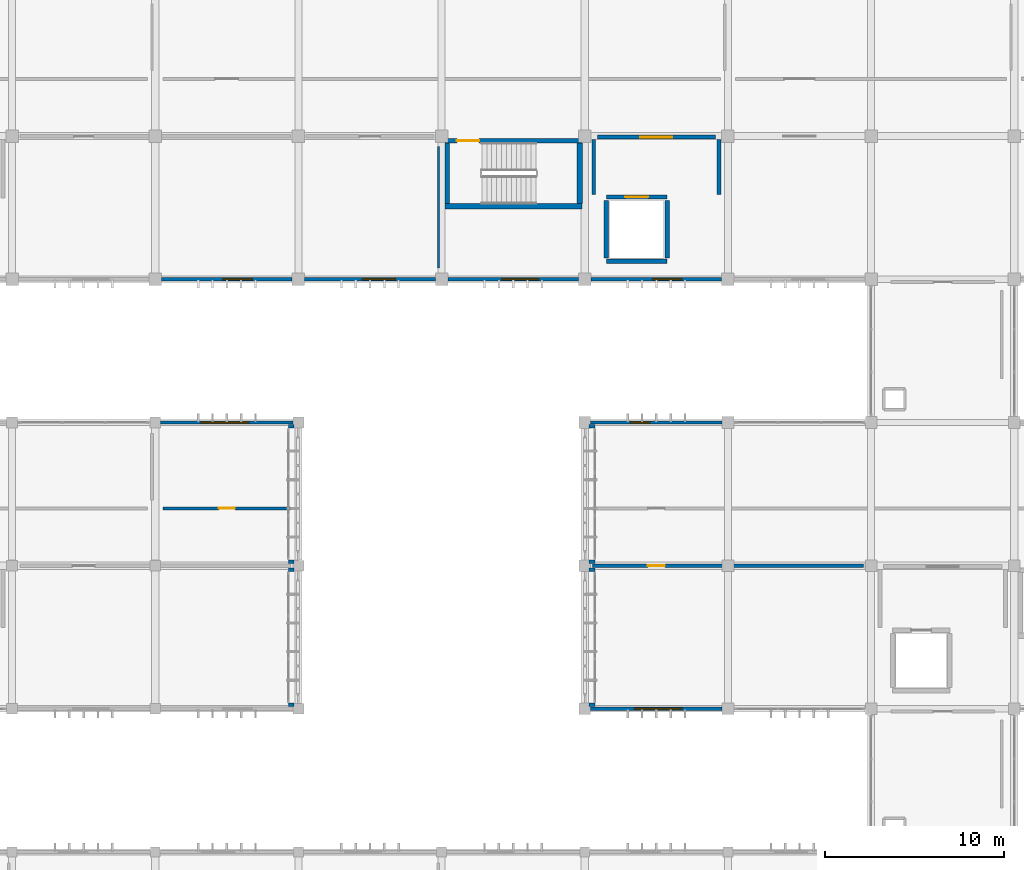
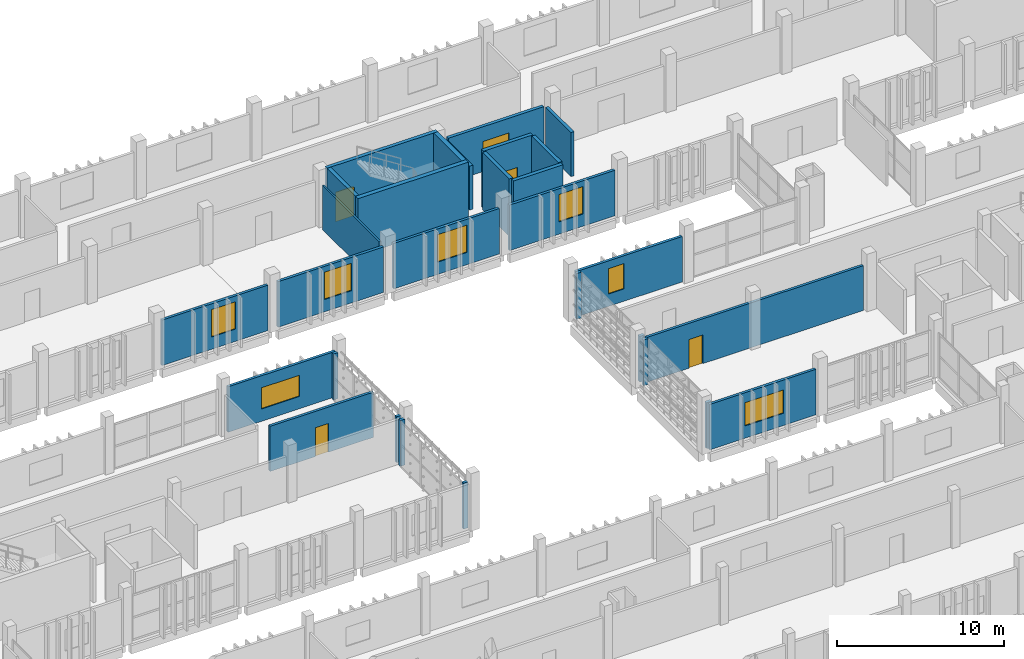
# One storey, part 69 of 83: 29 walls, 7 windows, 5 doors, 12 openings.
"""IFC4 building model written with IfcOpenShell, lengths in metres."""

from ifc_helpers import new_model, si_unit, direction, frame, frame_2d, origin, place, context, subcontext, project, spatial, rectangle, extrude, material, layer, layer_set, type_object, element, fill, save


model = new_model("IFC4")

# Units and contexts
model_context = context("Model", 3, precision=1e-05, world=origin(), true_north=direction((0.0, 1.0)))
body_context = subcontext(model_context, "Body", "Model", "MODEL_VIEW")
ifc_project = project(units=[si_unit("LENGTHUNIT", "METRE"), si_unit("AREAUNIT", "SQUARE_METRE"), si_unit("VOLUMEUNIT", "CUBIC_METRE"), si_unit("PLANEANGLEUNIT", "RADIAN"), si_unit("MASSUNIT", "GRAM", prefix="KILO")], contexts=[model_context])

# Site, building, storey
site_placement = place(None, origin())
site = spatial("IfcSite", under=ifc_project, at=site_placement, CompositionType="ELEMENT")
building_placement = place(site_placement, origin())
building = spatial("IfcBuilding", under=site, at=building_placement, Name="Jelvoka-Kovrelna Polytechnic", CompositionType="ELEMENT")
storey_placement = place(building_placement, frame((0.0, 0.0, 13.800048828125)))
storey = spatial("IfcBuildingStorey", under=building, at=storey_placement, Name="L04", CompositionType="ELEMENT", Elevation=13.800048828125)

# Wall, opening, door
ifc_material_1 = material(Name="Concrete C35/45", Category="concrete")
ifc_layer_1 = layer(ifc_material_1, 0.219970703125)
ifc_layer_set_1 = layer_set([ifc_layer_1], Name="Concrete C35/45")
wall_type_1 = type_object("IfcWallType", Name="Wall_Compartment_220", PredefinedType="PARTITIONING", material=ifc_layer_set_1)
wall_1_placement = place(storey_placement, frame((128.699951171875, 63.949951171875, 0.0), z_axis=(0.0, 0.0, 1.0), x_axis=(1.0, 0.0, 0.0)))
wall_1 = element("IfcWall", 1, at=wall_1_placement, inside=storey, type_object=wall_type_1, Name="L04 interior wall 0660", PredefinedType="PARTITIONING", context=body_context, shape_type="SweptSolid", body=[
    extrude(rectangle(XDim=6.60009765625, YDim=0.219970703125, at=frame_2d((3.300048828125, 0.0))), origin(), (0.0, 0.0, 1.0), 3.27490234375),
])
opening_1_placement = place(wall_1_placement, frame((2.39990234375, 0.0, 0.0)))
opening_1 = element("IfcOpeningElement", 2, at=opening_1_placement, cuts=wall_1, Name="Opening FD-L04-113", PredefinedType="OPENING", context=body_context, shape_type="SweptSolid", body=[
    extrude(rectangle(XDim=1.800048828125, YDim=2.199951171875, at=frame_2d((0.89990234375, 1.10009765625))), frame((0.0, 0.119873046875, 0.0), z_axis=(0.0, -1.0, 0.0), x_axis=(1.0, 0.0, 0.0)), (0.0, 0.0, 1.0), 0.239990234375),
])
ifc_material_2 = material(Name="Paired steel corridor fire door", Category="steel")
door_type_1 = type_object("IfcDoorType", Name="Door_Fire_FD03", OperationType="NOTDEFINED", PredefinedType="DOOR", material=ifc_material_2)
door_1_placement = place(opening_1_placement, origin())
door_1 = element("IfcDoor", 3, at=door_1_placement, inside=storey, type_object=door_type_1, Name="L04 interior door FD-L04-113", OperationType="DOUBLE_DOOR_SINGLE_SWING", OverallHeight=2.199951171875, OverallWidth=1.800048828125, PredefinedType="DOOR", context=body_context, shape_type="SweptSolid", body=[
    extrude(rectangle(XDim=1.800048828125, YDim=2.199951171875, at=frame_2d((0.89990234375, 1.10009765625))), frame((0.0, 0.02490234375, 0.0), z_axis=(0.0, -1.0, 0.0), x_axis=(1.0, 0.0, 0.0)), (0.0, 0.0, 1.0), 0.050048828125),
])
fill(opening_1, door_1)

# Walls
for number, where, z_axis, x_axis, name in (
    (4, (128.5, 60.75, 0.0), (0.0, 0.0, 1.0), (0.0, 1.0, 0.0), "L04 interior wall 0661"),
    (5, (135.5, 60.75, 0.0), (0.0, 0.0, 1.0), (0.0, 1.0, 0.0), "L04 interior wall 0662"),
):
    element("IfcWall", number, at=place(storey_placement, frame(where, z_axis=z_axis, x_axis=x_axis)), inside=storey, type_object=wall_type_1, Name=name, PredefinedType="PARTITIONING", context=body_context, shape_type="SweptSolid", body=[
        extrude(rectangle(XDim=3.050048828125, YDim=0.219970703125, at=frame_2d((1.52490234375, 0.0))), origin(), (0.0, 0.0, 1.0), 3.224853515625),
    ])

# Wall, opening, door
ifc_material_3 = material(Name="Concrete C40/50", Category="concrete")
ifc_layer_2 = layer(ifc_material_3, 0.25)
ifc_layer_set_2 = layer_set([ifc_layer_2], Name="Concrete C40/50")
wall_type_2 = type_object("IfcWallType", Name="Wall_Core_250", PredefinedType="SOLIDWALL", material=ifc_layer_set_2)
wall_2_placement = place(storey_placement, frame((120.199951171875, 63.739990234375, 0.0), z_axis=(0.0, 0.0, 1.0), x_axis=(1.0, 0.0, 0.0)))
wall_2 = element("IfcWall", 6, at=wall_2_placement, inside=storey, type_object=wall_type_2, Name="L04 interior wall 0235", PredefinedType="SOLIDWALL", context=body_context, shape_type="SweptSolid", body=[
    extrude(rectangle(XDim=7.650146484375, YDim=0.25, at=frame_2d((3.8251953125, 0.0))), origin(), (0.0, 0.0, 1.0), 4.199951171875),
])
opening_2_placement = place(wall_2_placement, frame((0.64990234375, 0.0, 0.0)))
opening_2 = element("IfcOpeningElement", 7, at=opening_2_placement, cuts=wall_2, Name="Opening SD-L04-059", PredefinedType="OPENING", context=body_context, shape_type="SweptSolid", body=[
    extrude(rectangle(XDim=1.25, YDim=2.14990234375, at=frame_2d((0.625, 1.074951171875))), frame((0.0, 0.135009765625, 0.0), z_axis=(0.0, -1.0, 0.0), x_axis=(1.0, 0.0, 0.0)), (0.0, 0.0, 1.0), 0.27001953125),
])
ifc_material_4 = material(Name="Powder-coated steel fire door", Category="steel")
door_type_2 = type_object("IfcDoorType", Name="Door_Fire_FD02", OperationType="NOTDEFINED", PredefinedType="DOOR", material=ifc_material_4)
door_2_placement = place(opening_2_placement, origin())
door_2 = element("IfcDoor", 8, at=door_2_placement, inside=storey, type_object=door_type_2, Name="L04 interior door SD-L04-059", OperationType="SINGLE_SWING_LEFT", OverallHeight=2.14990234375, OverallWidth=1.25, PredefinedType="DOOR", context=body_context, shape_type="SweptSolid", body=[
    extrude(rectangle(XDim=1.25, YDim=2.14990234375, at=frame_2d((0.625, 1.074951171875))), frame((0.0, 0.02490234375, 0.0), z_axis=(0.0, -1.0, 0.0), x_axis=(1.0, 0.0, 0.0)), (0.0, 0.0, 1.0), 0.050048828125),
])
fill(opening_2, door_2)

# Walls
wall_3_placement = place(storey_placement, frame((120.324951171875, 60.25, 0.0), z_axis=(0.0, 0.0, 1.0), x_axis=(0.0, 1.0, 0.0)))
element("IfcWall", 9, at=wall_3_placement, inside=storey, type_object=wall_type_2, Name="L04 interior wall 0236", PredefinedType="SOLIDWALL", context=body_context, shape_type="SweptSolid", body=[
    extrude(rectangle(XDim=3.360107421875, YDim=0.25, at=frame_2d((1.68017578125, 0.0))), origin(), (0.0, 0.0, 1.0), 4.199951171875),
])
wall_4_placement = place(storey_placement, frame((129.199951171875, 57.0, 0.0), z_axis=(0.0, 0.0, 1.0), x_axis=(1.0, 0.0, 0.0)))
element("IfcWall", 10, at=wall_4_placement, inside=storey, type_object=wall_type_2, Name="L04 interior wall 0656", PredefinedType="SOLIDWALL", context=body_context, shape_type="SweptSolid", body=[
    extrude(rectangle(XDim=3.400146484375, YDim=0.25, at=frame_2d((1.7001953125, 0.0))), origin(), (0.0, 0.0, 1.0), 4.199951171875),
])

# Wall, opening, door
wall_5_placement = place(storey_placement, frame((129.199951171875, 60.60009765625, 0.0), z_axis=(0.0, 0.0, 1.0), x_axis=(1.0, 0.0, 0.0)))
wall_5 = element("IfcWall", 11, at=wall_5_placement, inside=storey, type_object=wall_type_2, Name="L04 interior wall 0657", PredefinedType="SOLIDWALL", context=body_context, shape_type="SweptSolid", body=[
    extrude(rectangle(XDim=3.400146484375, YDim=0.25, at=frame_2d((1.7001953125, 0.0))), origin(), (0.0, 0.0, 1.0), 4.199951171875),
])
opening_3_placement = place(wall_5_placement, frame((1.050048828125, 0.0, 0.0)))
opening_3 = element("IfcOpeningElement", 12, at=opening_3_placement, cuts=wall_5, Name="Opening LD-L04-50", PredefinedType="OPENING", context=body_context, shape_type="SweptSolid", body=[
    extrude(rectangle(XDim=1.300048828125, YDim=2.199951171875, at=frame_2d((0.64990234375, 1.10009765625))), frame((0.0, 0.135009765625, 0.0), z_axis=(0.0, -1.0, 0.0), x_axis=(1.0, 0.0, 0.0)), (0.0, 0.0, 1.0), 0.27001953125),
])
ifc_material_5 = material(Name="Heavy-duty stainless goods lift landing door", Category="wood")
door_type_3 = type_object("IfcDoorType", Name="Door_Lift_LD02", OperationType="NOTDEFINED", PredefinedType="DOOR", material=ifc_material_5)
door_3_placement = place(opening_3_placement, origin())
door_3 = element("IfcDoor", 13, at=door_3_placement, inside=storey, type_object=door_type_3, Name="L04 lift landing sliding door LD-L04-50", OperationType="DOUBLE_DOOR_SLIDING", OverallHeight=2.199951171875, OverallWidth=1.300048828125, PredefinedType="DOOR", context=body_context, shape_type="SweptSolid", body=[
    extrude(rectangle(XDim=1.300048828125, YDim=2.199951171875, at=frame_2d((0.64990234375, 1.10009765625))), frame((0.0, 0.02490234375, 0.0), z_axis=(0.0, -1.0, 0.0), x_axis=(1.0, 0.0, 0.0)), (0.0, 0.0, 1.0), 0.050048828125),
])
fill(opening_3, door_3)

# Walls
for number, where, z_axis, x_axis, name in (
    (14, (129.199951171875, 57.199951171875, 0.0), (0.0, 0.0, 1.0), (0.0, 1.0, 0.0), "L04 interior wall 0658"),
    (15, (132.60009765625, 57.199951171875, 0.0), (0.0, 0.0, 1.0), (0.0, 1.0, 0.0), "L04 interior wall 0659"),
):
    element("IfcWall", number, at=place(storey_placement, frame(where, z_axis=z_axis, x_axis=x_axis)), inside=storey, type_object=wall_type_2, Name=name, PredefinedType="SOLIDWALL", context=body_context, shape_type="SweptSolid", body=[
        extrude(rectangle(XDim=3.199951171875, YDim=0.25, at=frame_2d((1.60009765625, 0.0))), origin(), (0.0, 0.0, 1.0), 4.199951171875),
    ])

# Wall, opening, door
ifc_material_6 = material(Name="Autoclaved aerated concrete blockwork", Category="masonry")
ifc_layer_3 = layer(ifc_material_6, 0.179931640625)
ifc_layer_set_3 = layer_set([ifc_layer_3], Name="Autoclaved aerated concrete blockwork")
wall_type_3 = type_object("IfcWallType", Name="Wall_Corridor_180", PredefinedType="PARTITIONING", material=ifc_layer_set_3)
wall_6_placement = place(storey_placement, frame((104.429931640625, 43.199951171875, 0.0), z_axis=(0.0, 0.0, 1.0), x_axis=(1.0, 0.0, 0.0)))
wall_6 = element("IfcWall", 16, at=wall_6_placement, inside=storey, type_object=wall_type_3, Name="L04 interior wall 1127", PredefinedType="PARTITIONING", context=body_context, shape_type="SweptSolid", body=[
    extrude(rectangle(XDim=7.14013671875, YDim=0.179931640625, at=frame_2d((3.570068359375, 0.0))), origin(), (0.0, 0.0, 1.0), 3.300048828125),
])
opening_4_placement = place(wall_6_placement, frame((3.1201171875, 0.0, 0.0)))
opening_4 = element("IfcOpeningElement", 17, at=opening_4_placement, cuts=wall_6, Name="Opening D-L04-343", PredefinedType="OPENING", context=body_context, shape_type="SweptSolid", body=[
    extrude(rectangle(XDim=0.89990234375, YDim=2.10009765625, at=frame_2d((0.449951171875, 1.050048828125))), frame((0.0, 0.099853515625, 0.0), z_axis=(0.0, -1.0, 0.0), x_axis=(1.0, 0.0, 0.0)), (0.0, 0.0, 1.0), 0.199951171875),
])
ifc_material_7 = material(Name="Hardwood solid-core door", Category="wood")
door_type_4 = type_object("IfcDoorType", Name="Door_Int_D01", OperationType="NOTDEFINED", PredefinedType="DOOR", material=ifc_material_7)
door_4_placement = place(opening_4_placement, origin())
door_4 = element("IfcDoor", 18, at=door_4_placement, inside=storey, type_object=door_type_4, Name="L04 interior door D-L04-343", OperationType="SINGLE_SWING_RIGHT", OverallHeight=2.10009765625, OverallWidth=0.89990234375, PredefinedType="DOOR", context=body_context, shape_type="SweptSolid", body=[
    extrude(rectangle(XDim=0.89990234375, YDim=2.10009765625, at=frame_2d((0.449951171875, 1.050048828125))), frame((0.0, 0.02490234375, 0.0), z_axis=(0.0, -1.0, 0.0), x_axis=(1.0, 0.0, 0.0)), (0.0, 0.0, 1.0), 0.050048828125),
])
fill(opening_4, door_4)

wall_7_placement = place(storey_placement, frame((128.429931640625, 40.0, 0.0), z_axis=(0.0, 0.0, 1.0), x_axis=(1.0, 0.0, 0.0)))
wall_7 = element("IfcWall", 19, at=wall_7_placement, inside=storey, type_object=wall_type_3, Name="L04 interior wall 1128", PredefinedType="PARTITIONING", context=body_context, shape_type="SweptSolid", body=[
    extrude(rectangle(XDim=15.14013671875, YDim=0.179931640625, at=frame_2d((7.570068359375, 0.0))), origin(), (0.0, 0.0, 1.0), 3.27490234375),
])
opening_5_placement = place(wall_7_placement, frame((3.10009765625, 0.0, 0.0)))
opening_5 = element("IfcOpeningElement", 20, at=opening_5_placement, cuts=wall_7, Name="Opening D-L04-344", PredefinedType="OPENING", context=body_context, shape_type="SweptSolid", body=[
    extrude(rectangle(XDim=0.93994140625, YDim=2.10009765625, at=frame_2d((0.469970703125, 1.050048828125))), frame((0.0, 0.099853515625, 0.0), z_axis=(0.0, -1.0, 0.0), x_axis=(1.0, 0.0, 0.0)), (0.0, 0.0, 1.0), 0.199951171875),
])
ifc_material_8 = material(Name="Hardwood solid-core door", Category="wood")
door_type_5 = type_object("IfcDoorType", Name="Door_Int_D02", OperationType="NOTDEFINED", PredefinedType="DOOR", material=ifc_material_8)
door_5_placement = place(opening_5_placement, origin())
door_5 = element("IfcDoor", 21, at=door_5_placement, inside=storey, type_object=door_type_5, Name="L04 interior door D-L04-344", OperationType="SINGLE_SWING_LEFT", OverallHeight=2.10009765625, OverallWidth=0.93994140625, PredefinedType="DOOR", context=body_context, shape_type="SweptSolid", body=[
    extrude(rectangle(XDim=0.93994140625, YDim=2.10009765625, at=frame_2d((0.469970703125, 1.050048828125))), frame((0.0, 0.02490234375, 0.0), z_axis=(0.0, -1.0, 0.0), x_axis=(1.0, 0.0, 0.0)), (0.0, 0.0, 1.0), 0.050048828125),
])
fill(opening_5, door_5)

# Wall, opening, window
ifc_material_9 = material(Name="Precast concrete C40/50", Category="concrete")
ifc_layer_4 = layer(ifc_material_9, 0.18505859375)
ifc_layer_set_4 = layer_set([ifc_layer_4], Name="Precast concrete C40/50")
wall_type_4 = type_object("IfcWallType", Name="Wall_Ext_White_260", PredefinedType="STANDARD", material=ifc_layer_set_4)
wall_8_placement = place(storey_placement, frame((104.297119140625, 48.0, 0.0), z_axis=(0.0, 0.0, 1.0), x_axis=(1.0, 0.0, 0.0)))
wall_8 = element("IfcWall", 22, at=wall_8_placement, inside=storey, type_object=wall_type_4, Name="L04 exterior wall 0407", PredefinedType="STANDARD", context=body_context, shape_type="SweptSolid", body=[
    extrude(rectangle(XDim=7.40576171875, YDim=0.18505859375, at=frame_2d((3.702880859375, 0.0))), origin(), (0.0, 0.0, 1.0), 3.324951171875),
])
opening_6_placement = place(wall_8_placement, frame((2.282958984375, 0.0, 0.89990234375)))
opening_6 = element("IfcOpeningElement", 23, at=opening_6_placement, cuts=wall_8, Name="Opening W-L04-144", PredefinedType="OPENING", context=body_context, shape_type="SweptSolid", body=[
    extrude(rectangle(XDim=2.64990234375, YDim=1.550048828125, at=frame_2d((1.324951171875, 0.77490234375))), frame((0.0, 0.1025390625, 0.0), z_axis=(0.0, -1.0, 0.0), x_axis=(1.0, 0.0, 0.0)), (0.0, 0.0, 1.0), 0.205078125),
])
ifc_material_10 = material(Name="Thermally broken anodised aluminium and low-e glazing", Category="aluminium")
window_type_1 = type_object("IfcWindowType", Name="Win_Casement_W29", PartitioningType="DOUBLE_PANEL_VERTICAL", PredefinedType="WINDOW", material=ifc_material_10)
window_1_placement = place(opening_6_placement, origin())
window_1 = element("IfcWindow", 24, at=window_1_placement, inside=storey, type_object=window_type_1, Name="L04 aluminium casement window W-L04-144", OverallHeight=1.550048828125, OverallWidth=2.64990234375, PartitioningType="DOUBLE_PANEL_VERTICAL", PredefinedType="WINDOW", context=body_context, shape_type="SweptSolid", body=[
    extrude(rectangle(XDim=2.64990234375, YDim=1.550048828125, at=frame_2d((1.324951171875, 0.77490234375))), frame((0.0, 0.030029296875, 0.0), z_axis=(0.0, -1.0, 0.0), x_axis=(1.0, 0.0, 0.0)), (0.0, 0.0, 1.0), 0.06005859375),
])
fill(opening_6, window_1)

wall_9_placement = place(storey_placement, frame((135.677978515625, 32.0, 0.0), z_axis=(0.0, 0.0, 1.0), x_axis=(-1.0, 0.0, 0.0)))
wall_9 = element("IfcWall", 25, at=wall_9_placement, inside=storey, type_object=wall_type_4, Name="L04 exterior wall 0491", PredefinedType="STANDARD", context=body_context, shape_type="SweptSolid", body=[
    extrude(rectangle(XDim=7.35595703125, YDim=0.18505859375, at=frame_2d((3.677978515625, 0.0))), origin(), (0.0, 0.0, 1.0), 3.324951171875),
])
opening_7_placement = place(wall_9_placement, frame((2.258056640625, 0.0, 0.89990234375)))
opening_7 = element("IfcOpeningElement", 26, at=opening_7_placement, cuts=wall_9, Name="Opening W-L04-196", PredefinedType="OPENING", context=body_context, shape_type="SweptSolid", body=[
    extrude(rectangle(XDim=2.64990234375, YDim=1.699951171875, at=frame_2d((1.324951171875, 0.85009765625))), frame((0.0, 0.1025390625, 0.0), z_axis=(0.0, -1.0, 0.0), x_axis=(1.0, 0.0, 0.0)), (0.0, 0.0, 1.0), 0.205078125),
])
ifc_material_11 = material(Name="Thermally broken anodised aluminium and low-e glazing", Category="aluminium")
window_type_2 = type_object("IfcWindowType", Name="Win_Casement_W39", PartitioningType="DOUBLE_PANEL_VERTICAL", PredefinedType="WINDOW", material=ifc_material_11)
window_2_placement = place(opening_7_placement, origin())
window_2 = element("IfcWindow", 27, at=window_2_placement, inside=storey, type_object=window_type_2, Name="L04 aluminium casement window W-L04-196", OverallHeight=1.699951171875, OverallWidth=2.64990234375, PartitioningType="DOUBLE_PANEL_VERTICAL", PredefinedType="WINDOW", context=body_context, shape_type="SweptSolid", body=[
    extrude(rectangle(XDim=2.64990234375, YDim=1.699951171875, at=frame_2d((1.324951171875, 0.85009765625))), frame((0.0, 0.030029296875, 0.0), z_axis=(0.0, -1.0, 0.0), x_axis=(1.0, 0.0, 0.0)), (0.0, 0.0, 1.0), 0.06005859375),
])
fill(opening_7, window_2)

wall_10_placement = place(storey_placement, frame((128.322021484375, 48.0, 0.0), z_axis=(0.0, 0.0, 1.0), x_axis=(1.0, 0.0, 0.0)))
wall_10 = element("IfcWall", 28, at=wall_10_placement, inside=storey, type_object=wall_type_4, Name="L04 exterior wall 0492", PredefinedType="STANDARD", context=body_context, shape_type="SweptSolid", body=[
    extrude(rectangle(XDim=7.35595703125, YDim=0.18505859375, at=frame_2d((3.677978515625, 0.0))), origin(), (0.0, 0.0, 1.0), 3.324951171875),
])
opening_8_placement = place(wall_10_placement, frame((2.258056640625, 0.0, 0.89990234375)))
opening_8 = element("IfcOpeningElement", 29, at=opening_8_placement, cuts=wall_10, Name="Opening W-L04-197", PredefinedType="OPENING", context=body_context, shape_type="SweptSolid", body=[
    extrude(rectangle(XDim=1.050048828125, YDim=1.85009765625, at=frame_2d((0.52490234375, 0.925048828125))), frame((0.0, 0.1025390625, 0.0), z_axis=(0.0, -1.0, 0.0), x_axis=(1.0, 0.0, 0.0)), (0.0, 0.0, 1.0), 0.205078125),
])
ifc_material_12 = material(Name="Thermally broken anodised aluminium and low-e glazing", Category="aluminium")
window_type_3 = type_object("IfcWindowType", Name="Win_Casement_W41", PartitioningType="SINGLE_PANEL", PredefinedType="WINDOW", material=ifc_material_12)
window_3_placement = place(opening_8_placement, origin())
window_3 = element("IfcWindow", 30, at=window_3_placement, inside=storey, type_object=window_type_3, Name="L04 aluminium casement window W-L04-197", OverallHeight=1.85009765625, OverallWidth=1.050048828125, PartitioningType="SINGLE_PANEL", PredefinedType="WINDOW", context=body_context, shape_type="SweptSolid", body=[
    extrude(rectangle(XDim=1.050048828125, YDim=1.85009765625, at=frame_2d((0.52490234375, 0.925048828125))), frame((0.0, 0.030029296875, 0.0), z_axis=(0.0, -1.0, 0.0), x_axis=(1.0, 0.0, 0.0)), (0.0, 0.0, 1.0), 0.06005859375),
])
fill(opening_8, window_3)

wall_11_placement = place(storey_placement, frame((111.653076171875, 56.0, 0.0), z_axis=(0.0, 0.0, 1.0), x_axis=(-1.0, 0.0, 0.0)))
wall_11 = element("IfcWall", 31, at=wall_11_placement, inside=storey, type_object=wall_type_4, Name="L04 exterior wall 0686", PredefinedType="STANDARD", context=body_context, shape_type="SweptSolid", body=[
    extrude(rectangle(XDim=7.30615234375, YDim=0.18505859375, at=frame_2d((3.653076171875, 0.0))), origin(), (0.0, 0.0, 1.0), 3.324951171875),
])
opening_9_placement = place(wall_11_placement, frame((2.23291015625, 0.0, 0.89990234375)))
opening_9 = element("IfcOpeningElement", 32, at=opening_9_placement, cuts=wall_11, Name="Opening W-L04-352", PredefinedType="OPENING", context=body_context, shape_type="SweptSolid", body=[
    extrude(rectangle(XDim=1.64990234375, YDim=2.0, at=frame_2d((0.824951171875, 1.0))), frame((0.0, 0.1025390625, 0.0), z_axis=(0.0, -1.0, 0.0), x_axis=(1.0, 0.0, 0.0)), (0.0, 0.0, 1.0), 0.205078125),
])
ifc_material_13 = material(Name="Thermally broken anodised aluminium and low-e glazing", Category="aluminium")
window_type_4 = type_object("IfcWindowType", Name="Win_Casement_W54", PartitioningType="DOUBLE_PANEL_VERTICAL", PredefinedType="WINDOW", material=ifc_material_13)
window_4_placement = place(opening_9_placement, origin())
window_4 = element("IfcWindow", 33, at=window_4_placement, inside=storey, type_object=window_type_4, Name="L04 aluminium casement window W-L04-352", OverallHeight=2.0, OverallWidth=1.64990234375, PartitioningType="DOUBLE_PANEL_VERTICAL", PredefinedType="WINDOW", context=body_context, shape_type="SweptSolid", body=[
    extrude(rectangle(XDim=1.64990234375, YDim=2.0, at=frame_2d((0.824951171875, 1.0))), frame((0.0, 0.030029296875, 0.0), z_axis=(0.0, -1.0, 0.0), x_axis=(1.0, 0.0, 0.0)), (0.0, 0.0, 1.0), 0.06005859375),
])
fill(opening_9, window_4)

wall_12_placement = place(storey_placement, frame((119.653076171875, 56.0, 0.0), z_axis=(0.0, 0.0, 1.0), x_axis=(-1.0, 0.0, 0.0)))
wall_12 = element("IfcWall", 34, at=wall_12_placement, inside=storey, type_object=wall_type_4, Name="L04 exterior wall 0688", PredefinedType="STANDARD", context=body_context, shape_type="SweptSolid", body=[
    extrude(rectangle(XDim=7.30615234375, YDim=0.18505859375, at=frame_2d((3.653076171875, 0.0))), origin(), (0.0, 0.0, 1.0), 3.324951171875),
])
opening_10_placement = place(wall_12_placement, frame((2.23291015625, 0.0, 0.89990234375)))
opening_10 = element("IfcOpeningElement", 35, at=opening_10_placement, cuts=wall_12, Name="Opening W-L04-354", PredefinedType="OPENING", context=body_context, shape_type="SweptSolid", body=[
    extrude(rectangle(XDim=1.85009765625, YDim=2.0, at=frame_2d((0.925048828125, 1.0))), frame((0.0, 0.1025390625, 0.0), z_axis=(0.0, -1.0, 0.0), x_axis=(1.0, 0.0, 0.0)), (0.0, 0.0, 1.0), 0.205078125),
])
ifc_material_14 = material(Name="Thermally broken anodised aluminium and low-e glazing", Category="aluminium")
window_type_5 = type_object("IfcWindowType", Name="Win_Casement_W55", PartitioningType="DOUBLE_PANEL_VERTICAL", PredefinedType="WINDOW", material=ifc_material_14)
window_5_placement = place(opening_10_placement, origin())
window_5 = element("IfcWindow", 36, at=window_5_placement, inside=storey, type_object=window_type_5, Name="L04 aluminium casement window W-L04-354", OverallHeight=2.0, OverallWidth=1.85009765625, PartitioningType="DOUBLE_PANEL_VERTICAL", PredefinedType="WINDOW", context=body_context, shape_type="SweptSolid", body=[
    extrude(rectangle(XDim=1.85009765625, YDim=2.0, at=frame_2d((0.925048828125, 1.0))), frame((0.0, 0.030029296875, 0.0), z_axis=(0.0, -1.0, 0.0), x_axis=(1.0, 0.0, 0.0)), (0.0, 0.0, 1.0), 0.06005859375),
])
fill(opening_10, window_5)

wall_13_placement = place(storey_placement, frame((127.653076171875, 56.0, 0.0), z_axis=(0.0, 0.0, 1.0), x_axis=(-1.0, 0.0, 0.0)))
wall_13 = element("IfcWall", 37, at=wall_13_placement, inside=storey, type_object=wall_type_4, Name="L04 exterior wall 0690", PredefinedType="STANDARD", context=body_context, shape_type="SweptSolid", body=[
    extrude(rectangle(XDim=7.30615234375, YDim=0.18505859375, at=frame_2d((3.653076171875, 0.0))), origin(), (0.0, 0.0, 1.0), 3.324951171875),
])
opening_11_placement = place(wall_13_placement, frame((2.23291015625, 0.0, 0.89990234375)))
opening_11 = element("IfcOpeningElement", 38, at=opening_11_placement, cuts=wall_13, Name="Opening W-L04-356", PredefinedType="OPENING", context=body_context, shape_type="SweptSolid", body=[
    extrude(rectangle(XDim=2.050048828125, YDim=2.0, at=frame_2d((1.02490234375, 1.0))), frame((0.0, 0.1025390625, 0.0), z_axis=(0.0, -1.0, 0.0), x_axis=(1.0, 0.0, 0.0)), (0.0, 0.0, 1.0), 0.205078125),
])
ifc_material_15 = material(Name="Thermally broken anodised aluminium and low-e glazing", Category="aluminium")
window_type_6 = type_object("IfcWindowType", Name="Win_Casement_W56", PartitioningType="DOUBLE_PANEL_VERTICAL", PredefinedType="WINDOW", material=ifc_material_15)
window_6_placement = place(opening_11_placement, origin())
window_6 = element("IfcWindow", 39, at=window_6_placement, inside=storey, type_object=window_type_6, Name="L04 aluminium casement window W-L04-356", OverallHeight=2.0, OverallWidth=2.050048828125, PartitioningType="DOUBLE_PANEL_VERTICAL", PredefinedType="WINDOW", context=body_context, shape_type="SweptSolid", body=[
    extrude(rectangle(XDim=2.050048828125, YDim=2.0, at=frame_2d((1.02490234375, 1.0))), frame((0.0, 0.030029296875, 0.0), z_axis=(0.0, -1.0, 0.0), x_axis=(1.0, 0.0, 0.0)), (0.0, 0.0, 1.0), 0.06005859375),
])
fill(opening_11, window_6)

wall_14_placement = place(storey_placement, frame((135.653076171875, 56.0, 0.0), z_axis=(0.0, 0.0, 1.0), x_axis=(-1.0, 0.0, 0.0)))
wall_14 = element("IfcWall", 40, at=wall_14_placement, inside=storey, type_object=wall_type_4, Name="L04 exterior wall 0692", PredefinedType="STANDARD", context=body_context, shape_type="SweptSolid", body=[
    extrude(rectangle(XDim=7.30615234375, YDim=0.18505859375, at=frame_2d((3.653076171875, 0.0))), origin(), (0.0, 0.0, 1.0), 3.324951171875),
])
opening_12_placement = place(wall_14_placement, frame((2.23291015625, 0.0, 0.89990234375)))
opening_12 = element("IfcOpeningElement", 41, at=opening_12_placement, cuts=wall_14, Name="Opening W-L04-358", PredefinedType="OPENING", context=body_context, shape_type="SweptSolid", body=[
    extrude(rectangle(XDim=1.64990234375, YDim=2.0, at=frame_2d((0.824951171875, 1.0))), frame((0.0, 0.1025390625, 0.0), z_axis=(0.0, -1.0, 0.0), x_axis=(1.0, 0.0, 0.0)), (0.0, 0.0, 1.0), 0.205078125),
])
window_7_placement = place(opening_12_placement, origin())
window_7 = element("IfcWindow", 42, at=window_7_placement, inside=storey, type_object=window_type_4, Name="L04 aluminium casement window W-L04-358", OverallHeight=2.0, OverallWidth=1.64990234375, PartitioningType="DOUBLE_PANEL_VERTICAL", PredefinedType="WINDOW", context=body_context, shape_type="SweptSolid", body=[
    extrude(rectangle(XDim=1.64990234375, YDim=2.0, at=frame_2d((0.824951171875, 1.0))), frame((0.0, 0.030029296875, 0.0), z_axis=(0.0, -1.0, 0.0), x_axis=(1.0, 0.0, 0.0)), (0.0, 0.0, 1.0), 0.06005859375),
])
fill(opening_12, window_7)

# Walls
ifc_material_16 = material(Name="Precast concrete C40/50", Category="concrete")
ifc_layer_5 = layer(ifc_material_16, 0.199951171875)
ifc_layer_set_5 = layer_set([ifc_layer_5], Name="Precast concrete C40/50")
wall_type_5 = type_object("IfcWallType", Name="Wall_Parapet_200", PredefinedType="PARAPET", material=ifc_layer_set_5)
for number, where, z_axis, x_axis, name in (
    (43, (111.760009765625, 32.219970703125, 0.0), (0.0, 0.0, 1.0), (-1.0, 0.0, 0.0), "L04 exterior wall 0408"),
    (44, (111.760009765625, 39.780029296875, 0.0), (0.0, 0.0, 1.0), (-1.0, 0.0, 0.0), "L04 exterior wall 0409"),
    (45, (111.760009765625, 40.219970703125, 0.0), (0.0, 0.0, 1.0), (-1.0, 0.0, 0.0), "L04 exterior wall 0410"),
    (46, (111.760009765625, 47.780029296875, 0.0), (0.0, 0.0, 1.0), (-1.0, 0.0, 0.0), "L04 exterior wall 0411"),
    (47, (128.239990234375, 32.219970703125, 0.0), (0.0, 0.0, 1.0), (1.0, 0.0, 0.0), "L04 exterior wall 0498"),
    (48, (128.239990234375, 39.780029296875, 0.0), (0.0, 0.0, 1.0), (1.0, 0.0, 0.0), "L04 exterior wall 0499"),
    (49, (128.239990234375, 40.219970703125, 0.0), (0.0, 0.0, 1.0), (1.0, 0.0, 0.0), "L04 exterior wall 0500"),
    (50, (128.239990234375, 47.780029296875, 0.0), (0.0, 0.0, 1.0), (1.0, 0.0, 0.0), "L04 exterior wall 0501"),
):
    element("IfcWall", number, at=place(storey_placement, frame(where, z_axis=z_axis, x_axis=x_axis)), inside=storey, type_object=wall_type_5, Name=name, PredefinedType="PARAPET", context=body_context, shape_type="SweptSolid", body=[
        extrude(rectangle(XDim=0.320068359375, YDim=0.199951171875, at=frame_2d((0.16015625, 0.0))), origin(), (0.0, 0.0, 1.0), 3.349853515625),
    ])
ifc_material_17 = material(Name="Acoustic gypsum stud partition")
ifc_layer_6 = layer(ifc_material_17, 0.125)
ifc_layer_set_6 = layer_set([ifc_layer_6], Name="Acoustic gypsum stud partition")
wall_type_6 = type_object("IfcWallType", Name="Wall_Partition_125", PredefinedType="PARTITIONING", material=ifc_layer_set_6)
wall_15_placement = place(storey_placement, frame((119.820068359375, 56.6201171875, 0.0), z_axis=(0.0, 0.0, 1.0), x_axis=(0.0, 1.0, 0.0)))
element("IfcWall", 51, at=wall_15_placement, inside=storey, type_object=wall_type_6, Name="L04 interior wall 1138", PredefinedType="PARTITIONING", context=body_context, shape_type="SweptSolid", body=[
    extrude(rectangle(XDim=6.809814453125, YDim=0.125, at=frame_2d((3.40478515625, 0.0))), origin(), (0.0, 0.0, 1.0), 3.224853515625),
])
ifc_material_18 = material(Name="Concrete C40/50", Category="concrete")
ifc_layer_7 = layer(ifc_material_18, 0.300048828125)
ifc_layer_set_7 = layer_set([ifc_layer_7], Name="Concrete C40/50")
wall_type_7 = type_object("IfcWallType", Name="Wall_Shear_300", PredefinedType="SHEAR", material=ifc_layer_set_7)
wall_16_placement = place(storey_placement, frame((120.199951171875, 60.090087890625, 0.0), z_axis=(0.0, 0.0, 1.0), x_axis=(1.0, 0.0, 0.0)))
element("IfcWall", 52, at=wall_16_placement, inside=storey, type_object=wall_type_7, Name="L04 interior wall 0233", PredefinedType="SHEAR", context=body_context, shape_type="SweptSolid", body=[
    extrude(rectangle(XDim=7.650146484375, YDim=0.300048828125, at=frame_2d((3.8251953125, 0.0))), origin(), (0.0, 0.0, 1.0), 4.199951171875),
])
wall_17_placement = place(storey_placement, frame((127.7099609375, 60.25, 0.0), z_axis=(0.0, 0.0, 1.0), x_axis=(0.0, 1.0, 0.0)))
element("IfcWall", 53, at=wall_17_placement, inside=storey, type_object=wall_type_7, Name="L04 interior wall 0234", PredefinedType="SHEAR", context=body_context, shape_type="SweptSolid", body=[
    extrude(rectangle(XDim=3.360107421875, YDim=0.300048828125, at=frame_2d((1.68017578125, 0.0))), origin(), (0.0, 0.0, 1.0), 4.199951171875),
])

save(model, "model.ifc")
